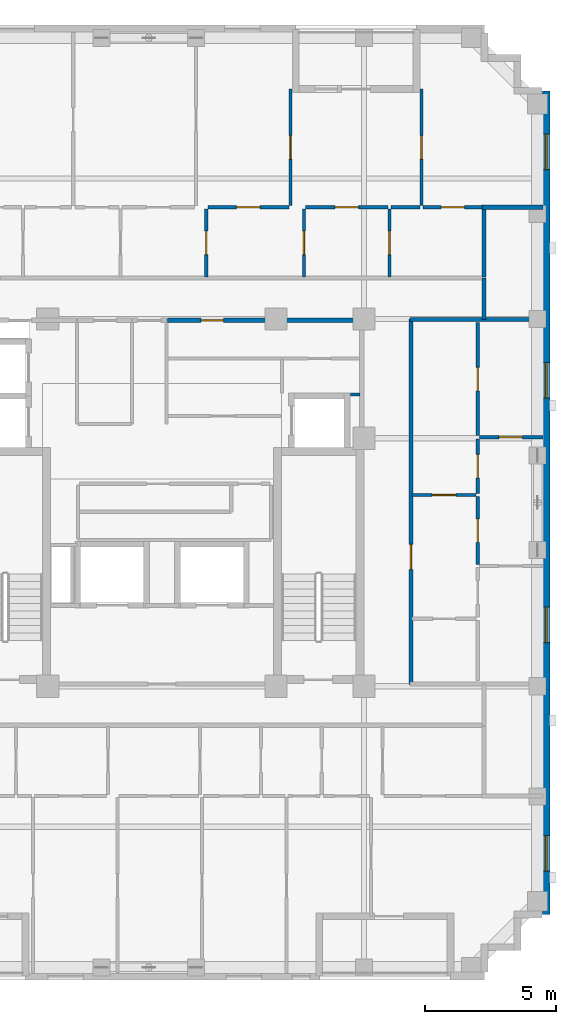
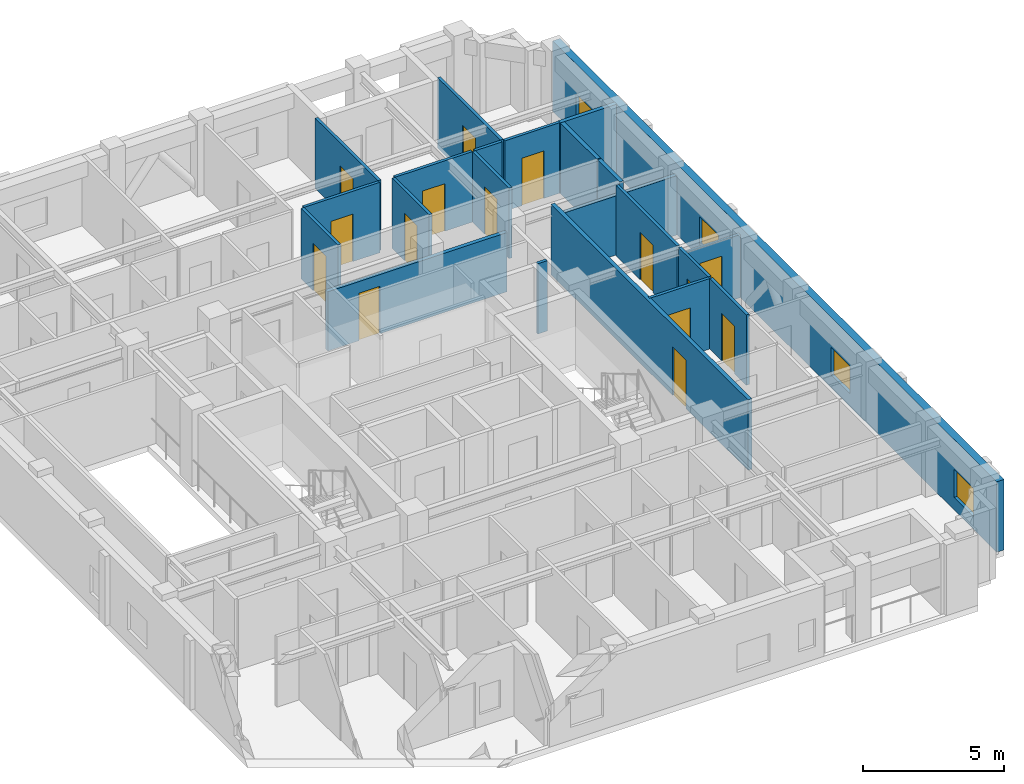
# One storey, part 8 of 13: 22 walls, 15 doors, 4 windows, 19 openings.
"""IFC4 building model written with IfcOpenShell, lengths in metres."""

from ifc_helpers import new_model, si_unit, derived_unit, direction, frame, frame_2d, origin, place, context, subcontext, project, spatial, rectangle, extrude, material, layer, layer_set, type_object, element, fill, save


model = new_model("IFC4")

# Units and contexts
model_context = context("Model", 3, precision=1e-05, world=origin(), true_north=direction((0.0, 1.0)))
body_context = subcontext(model_context, "Body", "Model", "MODEL_VIEW")
ifc_project = project(units=[si_unit("LENGTHUNIT", "METRE"), si_unit("AREAUNIT", "SQUARE_METRE"), si_unit("VOLUMEUNIT", "CUBIC_METRE"), si_unit("PLANEANGLEUNIT", "RADIAN"), si_unit("MASSUNIT", "GRAM", prefix="KILO"), derived_unit("THERMALTRANSMITTANCEUNIT", [(si_unit("MASSUNIT", "GRAM", prefix="KILO"), 1), (si_unit("TIMEUNIT", "SECOND"), -3), (si_unit("THERMODYNAMICTEMPERATUREUNIT", "KELVIN"), -1)])], contexts=[model_context])

# Site, building, storey
site_placement = place(None, origin())
site = spatial("IfcSite", under=ifc_project, at=site_placement, CompositionType="ELEMENT")
building_placement = place(site_placement, origin())
building = spatial("IfcBuilding", under=site, at=building_placement, Name="Korrvale Station Residences", CompositionType="ELEMENT")
storey_placement = place(building_placement, frame((0.0, 0.0, 181.0)))
storey = spatial("IfcBuildingStorey", under=building, at=storey_placement, Name="L52", CompositionType="ELEMENT", Elevation=181.0)

# Wall, openings, windows
ifc_material_1 = material(Name="Precast concrete C45/55", Category="concrete")
ifc_layer_1 = layer(ifc_material_1, 0.300048828125, Name="Precast concrete C45/55")
ifc_layer_set_1 = layer_set([ifc_layer_1], Name="Precast concrete C45/55")
wall_type_1 = type_object("IfcWallType", Name="WAL-EXT-PC300", PredefinedType="SOLIDWALL", material=ifc_layer_set_1)
wall_1_placement = place(storey_placement, frame((40.14990234375, 37.699951171875, 0.0), z_axis=(0.0, 0.0, 1.0), x_axis=(0.0, -1.0, 0.0)))
wall_1 = element("IfcWall", 1, at=wall_1_placement, inside=storey, type_object=wall_type_1, Name="L52 East Exterior Precast Wall 1", PredefinedType="SOLIDWALL", context=body_context, shape_type="SweptSolid", body=[
    extrude(rectangle(XDim=31.39990234375, YDim=0.300048828125, at=frame_2d((15.699951171875, 0.0))), origin(), (0.0, 0.0, 1.0), 3.0400390625),
])
opening_1_placement = place(wall_1_placement, frame((28.39599609375, 0.0, 0.550048828125)))
opening_1 = element("IfcOpeningElement", 2, at=opening_1_placement, cuts=wall_1, Name="Opening W-10", PredefinedType="OPENING", context=body_context, shape_type="SweptSolid", body=[
    extrude(rectangle(XDim=1.35009765625, YDim=1.199951171875, at=frame_2d((0.675048828125, 0.60009765625))), frame((0.0, 0.16015625, 0.0), z_axis=(0.0, -1.0, 0.0), x_axis=(1.0, 0.0, 0.0)), (0.0, 0.0, 1.0), 0.320068359375),
])
opening_2_placement = place(wall_1_placement, frame((1.653076171875, 0.0, 0.550048828125)))
opening_2 = element("IfcOpeningElement", 3, at=opening_2_placement, cuts=wall_1, Name="Opening W-10", PredefinedType="OPENING", context=body_context, shape_type="SweptSolid", body=[
    extrude(rectangle(XDim=1.35009765625, YDim=1.199951171875, at=frame_2d((0.675048828125, 0.60009765625))), frame((0.0, 0.16015625, 0.0), z_axis=(0.0, -1.0, 0.0), x_axis=(1.0, 0.0, 0.0)), (0.0, 0.0, 1.0), 0.320068359375),
])
opening_3_placement = place(wall_1_placement, frame((19.68310546875, 0.0, 0.550048828125)))
opening_3 = element("IfcOpeningElement", 4, at=opening_3_placement, cuts=wall_1, Name="Opening W-10", PredefinedType="OPENING", context=body_context, shape_type="SweptSolid", body=[
    extrude(rectangle(XDim=1.35009765625, YDim=1.199951171875, at=frame_2d((0.675048828125, 0.60009765625))), frame((0.0, 0.16015625, 0.0), z_axis=(0.0, -1.0, 0.0), x_axis=(1.0, 0.0, 0.0)), (0.0, 0.0, 1.0), 0.320068359375),
])
opening_4_placement = place(wall_1_placement, frame((10.366943359375, 0.0, 0.550048828125)))
opening_4 = element("IfcOpeningElement", 5, at=opening_4_placement, cuts=wall_1, Name="Opening W-10", PredefinedType="OPENING", context=body_context, shape_type="SweptSolid", body=[
    extrude(rectangle(XDim=1.35009765625, YDim=1.199951171875, at=frame_2d((0.675048828125, 0.60009765625))), frame((0.0, 0.16015625, 0.0), z_axis=(0.0, -1.0, 0.0), x_axis=(1.0, 0.0, 0.0)), (0.0, 0.0, 1.0), 0.320068359375),
])
ifc_material_2 = material(Name="Thermally broken aluminium frame with triple low-e glazing", Category="aluminium")
window_type = type_object("IfcWindowType", Name="WIN-W10", PartitioningType="SINGLE_PANEL", PredefinedType="WINDOW", material=ifc_material_2)
window_1_placement = place(opening_1_placement, origin())
window_1 = element("IfcWindow", 6, at=window_1_placement, inside=storey, type_object=window_type, Name="L52 Punched Window 07", OverallHeight=1.199951171875, OverallWidth=1.35009765625, PartitioningType="SINGLE_PANEL", PredefinedType="WINDOW", context=body_context, shape_type="SweptSolid", body=[
    extrude(rectangle(XDim=1.35009765625, YDim=1.199951171875, at=frame_2d((0.675048828125, 0.60009765625))), frame((0.0, 0.030029296875, 0.0), z_axis=(0.0, -1.0, 0.0), x_axis=(1.0, 0.0, 0.0)), (0.0, 0.0, 1.0), 0.06005859375),
])
fill(opening_1, window_1)
window_2_placement = place(opening_2_placement, origin())
window_2 = element("IfcWindow", 7, at=window_2_placement, inside=storey, type_object=window_type, Name="L52 Punched Window 12", OverallHeight=1.199951171875, OverallWidth=1.35009765625, PartitioningType="SINGLE_PANEL", PredefinedType="WINDOW", context=body_context, shape_type="SweptSolid", body=[
    extrude(rectangle(XDim=1.35009765625, YDim=1.199951171875, at=frame_2d((0.675048828125, 0.60009765625))), frame((0.0, 0.030029296875, 0.0), z_axis=(0.0, -1.0, 0.0), x_axis=(1.0, 0.0, 0.0)), (0.0, 0.0, 1.0), 0.06005859375),
])
fill(opening_2, window_2)
window_3_placement = place(opening_3_placement, origin())
window_3 = element("IfcWindow", 8, at=window_3_placement, inside=storey, type_object=window_type, Name="L52 Punched Window 13", OverallHeight=1.199951171875, OverallWidth=1.35009765625, PartitioningType="SINGLE_PANEL", PredefinedType="WINDOW", context=body_context, shape_type="SweptSolid", body=[
    extrude(rectangle(XDim=1.35009765625, YDim=1.199951171875, at=frame_2d((0.675048828125, 0.60009765625))), frame((0.0, 0.030029296875, 0.0), z_axis=(0.0, -1.0, 0.0), x_axis=(1.0, 0.0, 0.0)), (0.0, 0.0, 1.0), 0.06005859375),
])
fill(opening_3, window_3)
window_4_placement = place(opening_4_placement, origin())
window_4 = element("IfcWindow", 9, at=window_4_placement, inside=storey, type_object=window_type, Name="L52 Punched Window 14", OverallHeight=1.199951171875, OverallWidth=1.35009765625, PartitioningType="SINGLE_PANEL", PredefinedType="WINDOW", context=body_context, shape_type="SweptSolid", body=[
    extrude(rectangle(XDim=1.35009765625, YDim=1.199951171875, at=frame_2d((0.675048828125, 0.60009765625))), frame((0.0, 0.030029296875, 0.0), z_axis=(0.0, -1.0, 0.0), x_axis=(1.0, 0.0, 0.0)), (0.0, 0.0, 1.0), 0.06005859375),
])
fill(opening_4, window_4)

# Wall
ifc_material_3 = material(Name="Acoustic steel-stud gypsum board partition", Category="steel")
ifc_layer_2 = layer(ifc_material_3, 0.1201171875, Name="Acoustic steel-stud gypsum board partition")
ifc_layer_set_2 = layer_set([ifc_layer_2], Name="Acoustic steel-stud gypsum board partition")
wall_type_2 = type_object("IfcWallType", Name="WAL-PART-125", PredefinedType="PARTITIONING", material=ifc_layer_set_2)
wall_2_placement = place(storey_placement, frame((32.679931640625, 26.1201171875, 0.0), z_axis=(0.0, 0.0, 1.0), x_axis=(1.0, 0.0, 0.0)))
element("IfcWall", 10, at=wall_2_placement, inside=storey, type_object=wall_type_2, Name="L52 Core Partition CW-CS-S", PredefinedType="PARTITIONING", context=body_context, shape_type="SweptSolid", body=[
    extrude(rectangle(XDim=0.380126953125, YDim=0.1201171875, at=frame_2d((0.18994140625, 0.0))), origin(), (0.0, 0.0, 1.0), 3.0400390625),
])

# Wall, opening, door
wall_3_placement = place(storey_placement, frame((27.18994140625, 30.60009765625, 0.0), z_axis=(0.0, 0.0, 1.0), x_axis=(0.0, 1.0, 0.0)))
wall_3 = element("IfcWall", 11, at=wall_3_placement, inside=storey, type_object=wall_type_2, Name="L52 Suite Partition U02-V34", PredefinedType="PARTITIONING", context=body_context, shape_type="SweptSolid", body=[
    extrude(rectangle(XDim=2.599853515625, YDim=0.1201171875, at=frame_2d((1.2998046875, 0.0))), origin(), (0.0, 0.0, 1.0), 3.0400390625),
])
opening_5_placement = place(wall_3_placement, frame((0.85009765625, 0.0, 0.0)))
opening_5 = element("IfcOpeningElement", 12, at=opening_5_placement, cuts=wall_3, Name="Opening DI-900", PredefinedType="OPENING", context=body_context, shape_type="SweptSolid", body=[
    extrude(rectangle(XDim=0.89990234375, YDim=2.050048828125, at=frame_2d((0.449951171875, 1.02490234375))), frame((0.0, 0.070068359375, 0.0), z_axis=(0.0, -1.0, 0.0), x_axis=(1.0, 0.0, 0.0)), (0.0, 0.0, 1.0), 0.14013671875),
])
ifc_material_4 = material(Name="Painted solid-core timber interior room door", Category="wood")
door_type_1 = type_object("IfcDoorType", Name="DR-INT-900", OperationType="NOTDEFINED", PredefinedType="DOOR", material=ifc_material_4)
door_1_placement = place(opening_5_placement, origin())
door_1 = element("IfcDoor", 13, at=door_1_placement, inside=storey, type_object=door_type_1, Name="L52 Apartment 3BR L52-U02 Storage Closet 2 Door", OperationType="SINGLE_SWING_RIGHT", OverallHeight=2.050048828125, OverallWidth=0.89990234375, PredefinedType="DOOR", context=body_context, shape_type="SweptSolid", body=[
    extrude(rectangle(XDim=0.89990234375, YDim=2.050048828125, at=frame_2d((0.449951171875, 1.02490234375))), frame((0.0, 0.02490234375, 0.0), z_axis=(0.0, -1.0, 0.0), x_axis=(1.0, 0.0, 0.0)), (0.0, 0.0, 1.0), 0.050048828125),
])
fill(opening_5, door_1)

wall_4_placement = place(storey_placement, frame((30.909912109375, 30.60009765625, 0.0), z_axis=(0.0, 0.0, 1.0), x_axis=(0.0, 1.0, 0.0)))
wall_4 = element("IfcWall", 14, at=wall_4_placement, inside=storey, type_object=wall_type_2, Name="L52 Suite Partition U02-V45", PredefinedType="PARTITIONING", context=body_context, shape_type="SweptSolid", body=[
    extrude(rectangle(XDim=2.599853515625, YDim=0.1201171875, at=frame_2d((1.2998046875, 0.0))), origin(), (0.0, 0.0, 1.0), 3.0400390625),
])
opening_6_placement = place(wall_4_placement, frame((0.85009765625, 0.0, 0.0)))
opening_6 = element("IfcOpeningElement", 15, at=opening_6_placement, cuts=wall_4, Name="Opening DI-900", PredefinedType="OPENING", context=body_context, shape_type="SweptSolid", body=[
    extrude(rectangle(XDim=0.89990234375, YDim=2.050048828125, at=frame_2d((0.449951171875, 1.02490234375))), frame((0.0, 0.070068359375, 0.0), z_axis=(0.0, -1.0, 0.0), x_axis=(1.0, 0.0, 0.0)), (0.0, 0.0, 1.0), 0.14013671875),
])
door_2_placement = place(opening_6_placement, origin())
door_2 = element("IfcDoor", 16, at=door_2_placement, inside=storey, type_object=door_type_1, Name="L52 Apartment 3BR L52-U02 Storage Closet 3 Door", OperationType="SINGLE_SWING_RIGHT", OverallHeight=2.050048828125, OverallWidth=0.89990234375, PredefinedType="DOOR", context=body_context, shape_type="SweptSolid", body=[
    extrude(rectangle(XDim=0.89990234375, YDim=2.050048828125, at=frame_2d((0.449951171875, 1.02490234375))), frame((0.0, 0.02490234375, 0.0), z_axis=(0.0, -1.0, 0.0), x_axis=(1.0, 0.0, 0.0)), (0.0, 0.0, 1.0), 0.050048828125),
])
fill(opening_6, door_2)

wall_5_placement = place(storey_placement, frame((27.25, 33.260009765625, 0.0), z_axis=(0.0, 0.0, 1.0), x_axis=(1.0, 0.0, 0.0)))
wall_5 = element("IfcWall", 17, at=wall_5_placement, inside=storey, type_object=wall_type_2, Name="L52 Suite Partition U02-H410", PredefinedType="PARTITIONING", context=body_context, shape_type="SweptSolid", body=[
    extrude(rectangle(XDim=3.090087890625, YDim=0.1201171875, at=frame_2d((1.544921875, 0.0))), origin(), (0.0, 0.0, 1.0), 3.0400390625),
])
opening_7_placement = place(wall_5_placement, frame((1.094970703125, 0.0, 0.0)))
opening_7 = element("IfcOpeningElement", 18, at=opening_7_placement, cuts=wall_5, Name="Opening DI-900", PredefinedType="OPENING", context=body_context, shape_type="SweptSolid", body=[
    extrude(rectangle(XDim=0.89990234375, YDim=2.050048828125, at=frame_2d((0.449951171875, 1.02490234375))), frame((0.0, 0.070068359375, 0.0), z_axis=(0.0, -1.0, 0.0), x_axis=(1.0, 0.0, 0.0)), (0.0, 0.0, 1.0), 0.14013671875),
])
door_3_placement = place(opening_7_placement, origin())
door_3 = element("IfcDoor", 19, at=door_3_placement, inside=storey, type_object=door_type_1, Name="L52 Apartment 3BR L52-U02 Storage Closet 3 Door", OperationType="SINGLE_SWING_LEFT", OverallHeight=2.050048828125, OverallWidth=0.89990234375, PredefinedType="DOOR", context=body_context, shape_type="SweptSolid", body=[
    extrude(rectangle(XDim=0.89990234375, YDim=2.050048828125, at=frame_2d((0.449951171875, 1.02490234375))), frame((0.0, 0.02490234375, 0.0), z_axis=(0.0, -1.0, 0.0), x_axis=(1.0, 0.0, 0.0)), (0.0, 0.0, 1.0), 0.050048828125),
])
fill(opening_7, door_3)

wall_6_placement = place(storey_placement, frame((34.179931640625, 30.60009765625, 0.0), z_axis=(0.0, 0.0, 1.0), x_axis=(0.0, 1.0, 0.0)))
wall_6 = element("IfcWall", 20, at=wall_6_placement, inside=storey, type_object=wall_type_2, Name="L52 Suite Partition U02-V56", PredefinedType="PARTITIONING", context=body_context, shape_type="SweptSolid", body=[
    extrude(rectangle(XDim=2.599853515625, YDim=0.1201171875, at=frame_2d((1.2998046875, 0.0))), origin(), (0.0, 0.0, 1.0), 3.0400390625),
])
opening_8_placement = place(wall_6_placement, frame((0.85009765625, 0.0, 0.0)))
opening_8 = element("IfcOpeningElement", 21, at=opening_8_placement, cuts=wall_6, Name="Opening DI-900", PredefinedType="OPENING", context=body_context, shape_type="SweptSolid", body=[
    extrude(rectangle(XDim=0.89990234375, YDim=2.050048828125, at=frame_2d((0.449951171875, 1.02490234375))), frame((0.0, 0.070068359375, 0.0), z_axis=(0.0, -1.0, 0.0), x_axis=(1.0, 0.0, 0.0)), (0.0, 0.0, 1.0), 0.14013671875),
])
door_4_placement = place(opening_8_placement, origin())
door_4 = element("IfcDoor", 22, at=door_4_placement, inside=storey, type_object=door_type_1, Name="L52 Apartment 3BR L52-U02 Storage Closet 4 Door", OperationType="SINGLE_SWING_RIGHT", OverallHeight=2.050048828125, OverallWidth=0.89990234375, PredefinedType="DOOR", context=body_context, shape_type="SweptSolid", body=[
    extrude(rectangle(XDim=0.89990234375, YDim=2.050048828125, at=frame_2d((0.449951171875, 1.02490234375))), frame((0.0, 0.02490234375, 0.0), z_axis=(0.0, -1.0, 0.0), x_axis=(1.0, 0.0, 0.0)), (0.0, 0.0, 1.0), 0.050048828125),
])
fill(opening_8, door_4)

wall_7_placement = place(storey_placement, frame((30.969970703125, 33.260009765625, 0.0), z_axis=(0.0, 0.0, 1.0), x_axis=(1.0, 0.0, 0.0)))
wall_7 = element("IfcWall", 23, at=wall_7_placement, inside=storey, type_object=wall_type_2, Name="L52 Suite Partition U02-H511", PredefinedType="PARTITIONING", context=body_context, shape_type="SweptSolid", body=[
    extrude(rectangle(XDim=3.150146484375, YDim=0.1201171875, at=frame_2d((1.5751953125, 0.0))), origin(), (0.0, 0.0, 1.0), 3.0400390625),
])
opening_9_placement = place(wall_7_placement, frame((1.125, 0.0, 0.0)))
opening_9 = element("IfcOpeningElement", 24, at=opening_9_placement, cuts=wall_7, Name="Opening DI-900", PredefinedType="OPENING", context=body_context, shape_type="SweptSolid", body=[
    extrude(rectangle(XDim=0.89990234375, YDim=2.050048828125, at=frame_2d((0.449951171875, 1.02490234375))), frame((0.0, 0.070068359375, 0.0), z_axis=(0.0, -1.0, 0.0), x_axis=(1.0, 0.0, 0.0)), (0.0, 0.0, 1.0), 0.14013671875),
])
door_5_placement = place(opening_9_placement, origin())
door_5 = element("IfcDoor", 25, at=door_5_placement, inside=storey, type_object=door_type_1, Name="L52 Apartment 3BR L52-U02 Storage Closet 4 Door", OperationType="SINGLE_SWING_LEFT", OverallHeight=2.050048828125, OverallWidth=0.89990234375, PredefinedType="DOOR", context=body_context, shape_type="SweptSolid", body=[
    extrude(rectangle(XDim=0.89990234375, YDim=2.050048828125, at=frame_2d((0.449951171875, 1.02490234375))), frame((0.0, 0.02490234375, 0.0), z_axis=(0.0, -1.0, 0.0), x_axis=(1.0, 0.0, 0.0)), (0.0, 0.0, 1.0), 0.050048828125),
])
fill(opening_9, door_5)

# Wall
wall_8_placement = place(storey_placement, frame((34.239990234375, 33.260009765625, 0.0), z_axis=(0.0, 0.0, 1.0), x_axis=(1.0, 0.0, 0.0)))
element("IfcWall", 26, at=wall_8_placement, inside=storey, type_object=wall_type_2, Name="L52 Suite Partition U02-H611", PredefinedType="PARTITIONING", context=body_context, shape_type="SweptSolid", body=[
    extrude(rectangle(XDim=1.10009765625, YDim=0.1201171875, at=frame_2d((0.550048828125, 0.0))), origin(), (0.0, 0.0, 1.0), 3.0400390625),
])

# Wall, opening, door
wall_9_placement = place(storey_placement, frame((35.4599609375, 33.260009765625, 0.0), z_axis=(0.0, 0.0, 1.0), x_axis=(1.0, 0.0, 0.0)))
wall_9 = element("IfcWall", 27, at=wall_9_placement, inside=storey, type_object=wall_type_2, Name="L52 Suite Partition U02-H612", PredefinedType="PARTITIONING", context=body_context, shape_type="SweptSolid", body=[
    extrude(rectangle(XDim=2.260009765625, YDim=0.1201171875, at=frame_2d((1.1298828125, 0.0))), origin(), (0.0, 0.0, 1.0), 3.0400390625),
])
opening_10_placement = place(wall_9_placement, frame((0.679931640625, 0.0, 0.0)))
opening_10 = element("IfcOpeningElement", 28, at=opening_10_placement, cuts=wall_9, Name="Opening DI-900", PredefinedType="OPENING", context=body_context, shape_type="SweptSolid", body=[
    extrude(rectangle(XDim=0.89990234375, YDim=2.050048828125, at=frame_2d((0.449951171875, 1.02490234375))), frame((0.0, 0.070068359375, 0.0), z_axis=(0.0, -1.0, 0.0), x_axis=(1.0, 0.0, 0.0)), (0.0, 0.0, 1.0), 0.14013671875),
])
door_6_placement = place(opening_10_placement, origin())
door_6 = element("IfcDoor", 29, at=door_6_placement, inside=storey, type_object=door_type_1, Name="L52 Apartment 3BR L52-U02 Storage Closet 5 Door", OperationType="SINGLE_SWING_RIGHT", OverallHeight=2.050048828125, OverallWidth=0.89990234375, PredefinedType="DOOR", context=body_context, shape_type="SweptSolid", body=[
    extrude(rectangle(XDim=0.89990234375, YDim=2.050048828125, at=frame_2d((0.449951171875, 1.02490234375))), frame((0.0, 0.02490234375, 0.0), z_axis=(0.0, -1.0, 0.0), x_axis=(1.0, 0.0, 0.0)), (0.0, 0.0, 1.0), 0.050048828125),
])
fill(opening_10, door_6)

wall_10_placement = place(storey_placement, frame((30.39990234375, 33.320068359375, 0.0), z_axis=(0.0, 0.0, 1.0), x_axis=(0.0, 1.0, 0.0)))
wall_10 = element("IfcWall", 30, at=wall_10_placement, inside=storey, type_object=wall_type_2, Name="L52 Suite Partition U02-V1011", PredefinedType="PARTITIONING", context=body_context, shape_type="SweptSolid", body=[
    extrude(rectangle(XDim=4.449951171875, YDim=0.1201171875, at=frame_2d((2.22509765625, 0.0))), origin(), (0.0, 0.0, 1.0), 3.0400390625),
])
opening_11_placement = place(wall_10_placement, frame((1.77490234375, 0.0, 0.0)))
opening_11 = element("IfcOpeningElement", 31, at=opening_11_placement, cuts=wall_10, Name="Opening DI-900", PredefinedType="OPENING", context=body_context, shape_type="SweptSolid", body=[
    extrude(rectangle(XDim=0.89990234375, YDim=2.050048828125, at=frame_2d((0.449951171875, 1.02490234375))), frame((0.0, 0.070068359375, 0.0), z_axis=(0.0, -1.0, 0.0), x_axis=(1.0, 0.0, 0.0)), (0.0, 0.0, 1.0), 0.14013671875),
])
door_7_placement = place(opening_11_placement, origin())
door_7 = element("IfcDoor", 32, at=door_7_placement, inside=storey, type_object=door_type_1, Name="L52 Apartment 3BR L52-U02 Bedroom 1 Door", OperationType="SINGLE_SWING_RIGHT", OverallHeight=2.050048828125, OverallWidth=0.89990234375, PredefinedType="DOOR", context=body_context, shape_type="SweptSolid", body=[
    extrude(rectangle(XDim=0.89990234375, YDim=2.050048828125, at=frame_2d((0.449951171875, 1.02490234375))), frame((0.0, 0.02490234375, 0.0), z_axis=(0.0, -1.0, 0.0), x_axis=(1.0, 0.0, 0.0)), (0.0, 0.0, 1.0), 0.050048828125),
])
fill(opening_11, door_7)

wall_11_placement = place(storey_placement, frame((35.39990234375, 33.320068359375, 0.0), z_axis=(0.0, 0.0, 1.0), x_axis=(0.0, 1.0, 0.0)))
wall_11 = element("IfcWall", 33, at=wall_11_placement, inside=storey, type_object=wall_type_2, Name="L52 Suite Partition U02-V1112", PredefinedType="PARTITIONING", context=body_context, shape_type="SweptSolid", body=[
    extrude(rectangle(XDim=4.449951171875, YDim=0.1201171875, at=frame_2d((2.22509765625, 0.0))), origin(), (0.0, 0.0, 1.0), 3.0400390625),
])
opening_12_placement = place(wall_11_placement, frame((1.77490234375, 0.0, 0.0)))
opening_12 = element("IfcOpeningElement", 34, at=opening_12_placement, cuts=wall_11, Name="Opening DI-900", PredefinedType="OPENING", context=body_context, shape_type="SweptSolid", body=[
    extrude(rectangle(XDim=0.89990234375, YDim=2.050048828125, at=frame_2d((0.449951171875, 1.02490234375))), frame((0.0, 0.070068359375, 0.0), z_axis=(0.0, -1.0, 0.0), x_axis=(1.0, 0.0, 0.0)), (0.0, 0.0, 1.0), 0.14013671875),
])
door_8_placement = place(opening_12_placement, origin())
door_8 = element("IfcDoor", 35, at=door_8_placement, inside=storey, type_object=door_type_1, Name="L52 Apartment 3BR L52-U02 Bedroom 2 Door", OperationType="SINGLE_SWING_LEFT", OverallHeight=2.050048828125, OverallWidth=0.89990234375, PredefinedType="DOOR", context=body_context, shape_type="SweptSolid", body=[
    extrude(rectangle(XDim=0.89990234375, YDim=2.050048828125, at=frame_2d((0.449951171875, 1.02490234375))), frame((0.0, 0.02490234375, 0.0), z_axis=(0.0, -1.0, 0.0), x_axis=(1.0, 0.0, 0.0)), (0.0, 0.0, 1.0), 0.050048828125),
])
fill(opening_12, door_8)

wall_12_placement = place(storey_placement, frame((35.030029296875, 22.2900390625, 0.0), z_axis=(0.0, 0.0, 1.0), x_axis=(1.0, 0.0, 0.0)))
wall_12 = element("IfcWall", 36, at=wall_12_placement, inside=storey, type_object=wall_type_2, Name="L52 Suite Partition U03-H02", PredefinedType="PARTITIONING", context=body_context, shape_type="SweptSolid", body=[
    extrude(rectangle(XDim=2.449951171875, YDim=0.1201171875, at=frame_2d((1.22509765625, 0.0))), origin(), (0.0, 0.0, 1.0), 3.0400390625),
])
opening_13_placement = place(wall_12_placement, frame((0.77490234375, 0.0, 0.0)))
opening_13 = element("IfcOpeningElement", 37, at=opening_13_placement, cuts=wall_12, Name="Opening DI-900", PredefinedType="OPENING", context=body_context, shape_type="SweptSolid", body=[
    extrude(rectangle(XDim=0.89990234375, YDim=2.050048828125, at=frame_2d((0.449951171875, 1.02490234375))), frame((0.0, 0.070068359375, 0.0), z_axis=(0.0, -1.0, 0.0), x_axis=(1.0, 0.0, 0.0)), (0.0, 0.0, 1.0), 0.14013671875),
])
door_9_placement = place(opening_13_placement, origin())
door_9 = element("IfcDoor", 38, at=door_9_placement, inside=storey, type_object=door_type_1, Name="L52 Apartment 2BR L52-U03 Wardrobe Storage Room Door", OperationType="SINGLE_SWING_RIGHT", OverallHeight=2.050048828125, OverallWidth=0.89990234375, PredefinedType="DOOR", context=body_context, shape_type="SweptSolid", body=[
    extrude(rectangle(XDim=0.89990234375, YDim=2.050048828125, at=frame_2d((0.449951171875, 1.02490234375))), frame((0.0, 0.02490234375, 0.0), z_axis=(0.0, -1.0, 0.0), x_axis=(1.0, 0.0, 0.0)), (0.0, 0.0, 1.0), 0.050048828125),
])
fill(opening_13, door_9)

wall_13_placement = place(storey_placement, frame((37.5400390625, 22.35009765625, 0.0), z_axis=(0.0, 0.0, 1.0), x_axis=(0.0, 1.0, 0.0)))
wall_13 = element("IfcWall", 39, at=wall_13_placement, inside=storey, type_object=wall_type_2, Name="L52 Suite Partition U03-V04", PredefinedType="PARTITIONING", context=body_context, shape_type="SweptSolid", body=[
    extrude(rectangle(XDim=2.081787109375, YDim=0.1201171875, at=frame_2d((1.041015625, 0.0))), origin(), (0.0, 0.0, 1.0), 3.0400390625),
])
opening_14_placement = place(wall_13_placement, frame((0.591064453125, 0.0, 0.0)))
opening_14 = element("IfcOpeningElement", 40, at=opening_14_placement, cuts=wall_13, Name="Opening DI-900", PredefinedType="OPENING", context=body_context, shape_type="SweptSolid", body=[
    extrude(rectangle(XDim=0.89990234375, YDim=2.050048828125, at=frame_2d((0.449951171875, 1.02490234375))), frame((0.0, 0.070068359375, 0.0), z_axis=(0.0, -1.0, 0.0), x_axis=(1.0, 0.0, 0.0)), (0.0, 0.0, 1.0), 0.14013671875),
])
door_10_placement = place(opening_14_placement, origin())
door_10 = element("IfcDoor", 41, at=door_10_placement, inside=storey, type_object=door_type_1, Name="L52 Apartment 2BR L52-U03 Wardrobe Storage Room Door", OperationType="SINGLE_SWING_LEFT", OverallHeight=2.050048828125, OverallWidth=0.89990234375, PredefinedType="DOOR", context=body_context, shape_type="SweptSolid", body=[
    extrude(rectangle(XDim=0.89990234375, YDim=2.050048828125, at=frame_2d((0.449951171875, 1.02490234375))), frame((0.0, 0.02490234375, 0.0), z_axis=(0.0, -1.0, 0.0), x_axis=(1.0, 0.0, 0.0)), (0.0, 0.0, 1.0), 0.050048828125),
])
fill(opening_14, door_10)

wall_14_placement = place(storey_placement, frame((37.5400390625, 24.552001953125, 0.0), z_axis=(0.0, 0.0, 1.0), x_axis=(0.0, 1.0, 0.0)))
wall_14 = element("IfcWall", 42, at=wall_14_placement, inside=storey, type_object=wall_type_2, Name="L52 Suite Partition U03-V05", PredefinedType="PARTITIONING", context=body_context, shape_type="SweptSolid", body=[
    extrude(rectangle(XDim=4.30810546875, YDim=0.1201171875, at=frame_2d((2.154052734375, 0.0))), origin(), (0.0, 0.0, 1.0), 3.0400390625),
])
opening_15_placement = place(wall_14_placement, frame((1.7041015625, 0.0, 0.0)))
opening_15 = element("IfcOpeningElement", 43, at=opening_15_placement, cuts=wall_14, Name="Opening DI-900", PredefinedType="OPENING", context=body_context, shape_type="SweptSolid", body=[
    extrude(rectangle(XDim=0.89990234375, YDim=2.050048828125, at=frame_2d((0.449951171875, 1.02490234375))), frame((0.0, 0.070068359375, 0.0), z_axis=(0.0, -1.0, 0.0), x_axis=(1.0, 0.0, 0.0)), (0.0, 0.0, 1.0), 0.14013671875),
])
door_11_placement = place(opening_15_placement, origin())
door_11 = element("IfcDoor", 44, at=door_11_placement, inside=storey, type_object=door_type_1, Name="L52 Apartment 2BR L52-U03 Wardrobe Storage Room Door", OperationType="SINGLE_SWING_RIGHT", OverallHeight=2.050048828125, OverallWidth=0.89990234375, PredefinedType="DOOR", context=body_context, shape_type="SweptSolid", body=[
    extrude(rectangle(XDim=0.89990234375, YDim=2.050048828125, at=frame_2d((0.449951171875, 1.02490234375))), frame((0.0, 0.02490234375, 0.0), z_axis=(0.0, -1.0, 0.0), x_axis=(1.0, 0.0, 0.0)), (0.0, 0.0, 1.0), 0.050048828125),
])
fill(opening_15, door_11)

wall_15_placement = place(storey_placement, frame((37.5400390625, 19.637939453125, 0.0), z_axis=(0.0, 0.0, 1.0), x_axis=(0.0, 1.0, 0.0)))
wall_15 = element("IfcWall", 45, at=wall_15_placement, inside=storey, type_object=wall_type_2, Name="L52 Suite Partition U03-V24", PredefinedType="PARTITIONING", context=body_context, shape_type="SweptSolid", body=[
    extrude(rectangle(XDim=2.592041015625, YDim=0.1201171875, at=frame_2d((1.2958984375, 0.0))), origin(), (0.0, 0.0, 1.0), 3.0400390625),
])
opening_16_placement = place(wall_15_placement, frame((0.845947265625, 0.0, 0.0)))
opening_16 = element("IfcOpeningElement", 46, at=opening_16_placement, cuts=wall_15, Name="Opening DI-900", PredefinedType="OPENING", context=body_context, shape_type="SweptSolid", body=[
    extrude(rectangle(XDim=0.89990234375, YDim=2.050048828125, at=frame_2d((0.449951171875, 1.02490234375))), frame((0.0, 0.070068359375, 0.0), z_axis=(0.0, -1.0, 0.0), x_axis=(1.0, 0.0, 0.0)), (0.0, 0.0, 1.0), 0.14013671875),
])
door_12_placement = place(opening_16_placement, origin())
door_12 = element("IfcDoor", 47, at=door_12_placement, inside=storey, type_object=door_type_1, Name="L52 Apartment 2BR L52-U03 Kitchen Door", OperationType="SINGLE_SWING_LEFT", OverallHeight=2.050048828125, OverallWidth=0.89990234375, PredefinedType="DOOR", context=body_context, shape_type="SweptSolid", body=[
    extrude(rectangle(XDim=0.89990234375, YDim=2.050048828125, at=frame_2d((0.449951171875, 1.02490234375))), frame((0.0, 0.02490234375, 0.0), z_axis=(0.0, -1.0, 0.0), x_axis=(1.0, 0.0, 0.0)), (0.0, 0.0, 1.0), 0.050048828125),
])
fill(opening_16, door_12)

wall_16_placement = place(storey_placement, frame((37.60009765625, 24.491943359375, 0.0), z_axis=(0.0, 0.0, 1.0), x_axis=(1.0, 0.0, 0.0)))
wall_16 = element("IfcWall", 48, at=wall_16_placement, inside=storey, type_object=wall_type_2, Name="L52 Suite Partition U03-H45", PredefinedType="PARTITIONING", context=body_context, shape_type="SweptSolid", body=[
    extrude(rectangle(XDim=2.419921875, YDim=0.1201171875, at=frame_2d((1.2099609375, 0.0))), origin(), (0.0, 0.0, 1.0), 2.721923828125),
])
opening_17_placement = place(wall_16_placement, frame((0.7451171875, 0.0, 0.0)))
opening_17 = element("IfcOpeningElement", 49, at=opening_17_placement, cuts=wall_16, Name="Opening DI-900", PredefinedType="OPENING", context=body_context, shape_type="SweptSolid", body=[
    extrude(rectangle(XDim=0.89990234375, YDim=2.050048828125, at=frame_2d((0.449951171875, 1.02490234375))), frame((0.0, 0.070068359375, 0.0), z_axis=(0.0, -1.0, 0.0), x_axis=(1.0, 0.0, 0.0)), (0.0, 0.0, 1.0), 0.14013671875),
])
door_13_placement = place(opening_17_placement, origin())
door_13 = element("IfcDoor", 50, at=door_13_placement, inside=storey, type_object=door_type_1, Name="L52 Apartment 2BR L52-U03 Living and Dining Room Door", OperationType="SINGLE_SWING_LEFT", OverallHeight=2.050048828125, OverallWidth=0.89990234375, PredefinedType="DOOR", context=body_context, shape_type="SweptSolid", body=[
    extrude(rectangle(XDim=0.89990234375, YDim=2.050048828125, at=frame_2d((0.449951171875, 1.02490234375))), frame((0.0, 0.02490234375, 0.0), z_axis=(0.0, -1.0, 0.0), x_axis=(1.0, 0.0, 0.0)), (0.0, 0.0, 1.0), 0.050048828125),
])
fill(opening_17, door_13)

ifc_material_5 = material(Name="Fire-rated twin-stud gypsum and mineral wool shaftwall assembly", Category="gypsum")
ifc_layer_3 = layer(ifc_material_5, 0.159912109375, Name="Fire-rated twin-stud gypsum and mineral wool shaftwall assembly")
ifc_layer_set_3 = layer_set([ifc_layer_3], Name="Fire-rated twin-stud gypsum and mineral wool shaftwall assembly")
wall_type_3 = type_object("IfcWallType", Name="WAL-PART-200", PredefinedType="PARTITIONING", material=ifc_layer_set_3)
wall_17_placement = place(storey_placement, frame((25.719970703125, 28.949951171875, 0.0), z_axis=(0.0, 0.0, 1.0), x_axis=(1.0, 0.0, 0.0)))
wall_17 = element("IfcWall", 51, at=wall_17_placement, inside=storey, type_object=wall_type_3, Name="L52 Core Partition CW-FPLE-N", PredefinedType="PARTITIONING", context=body_context, shape_type="SweptSolid", body=[
    extrude(rectangle(XDim=7.320068359375, YDim=0.159912109375, at=frame_2d((3.66015625, 0.0))), origin(), (0.0, 0.0, 1.0), 2.555908203125),
])
opening_18_placement = place(wall_17_placement, frame((1.27001953125, 0.0, 0.0)))
opening_18 = element("IfcOpeningElement", 52, at=opening_18_placement, cuts=wall_17, Name="Opening DB-860", PredefinedType="OPENING", context=body_context, shape_type="SweptSolid", body=[
    extrude(rectangle(XDim=0.860107421875, YDim=2.050048828125, at=frame_2d((0.43017578125, 1.02490234375))), frame((0.0, 0.08984375, 0.0), z_axis=(0.0, -1.0, 0.0), x_axis=(1.0, 0.0, 0.0)), (0.0, 0.0, 1.0), 0.179931640625),
])
ifc_material_6 = material(Name="Moisture-resistant solid-core bathroom door", Category="timber")
door_type_2 = type_object("IfcDoorType", Name="DR-BATH-860", OperationType="NOTDEFINED", PredefinedType="DOOR", material=ifc_material_6)
door_14_placement = place(opening_18_placement, origin())
door_14 = element("IfcDoor", 53, at=door_14_placement, inside=storey, type_object=door_type_2, Name="L52 Luggage Pantry Door", OperationType="SINGLE_SWING_RIGHT", OverallHeight=2.050048828125, OverallWidth=0.860107421875, PredefinedType="DOOR", context=body_context, shape_type="SweptSolid", body=[
    extrude(rectangle(XDim=0.860107421875, YDim=2.050048828125, at=frame_2d((0.43017578125, 1.02490234375))), frame((0.0, 0.02490234375, 0.0), z_axis=(0.0, -1.0, 0.0), x_axis=(1.0, 0.0, 0.0)), (0.0, 0.0, 1.0), 0.050048828125),
])
fill(opening_18, door_14)

# Walls
wall_18_placement = place(storey_placement, frame((37.780029296875, 28.97998046875, 0.0), z_axis=(0.0, 0.0, 1.0), x_axis=(0.0, 1.0, 0.0)))
element("IfcWall", 54, at=wall_18_placement, inside=storey, type_object=wall_type_3, Name="L52 Corridor North East Cap", PredefinedType="PARTITIONING", context=body_context, shape_type="SweptSolid", body=[
    extrude(rectangle(XDim=1.580078125, YDim=0.159912109375, at=frame_2d((0.7900390625, 0.0))), origin(), (0.0, 0.0, 1.0), 3.0400390625),
])
wall_19_placement = place(storey_placement, frame((34.949951171875, 28.97998046875, 0.0), z_axis=(0.0, 0.0, 1.0), x_axis=(1.0, 0.0, 0.0)))
element("IfcWall", 55, at=wall_19_placement, inside=storey, type_object=wall_type_3, Name="L52 East Wing North Corridor Wall", PredefinedType="PARTITIONING", context=body_context, shape_type="SweptSolid", body=[
    extrude(rectangle(XDim=5.070068359375, YDim=0.159912109375, at=frame_2d((2.53515625, 0.0))), origin(), (0.0, 0.0, 1.0), 2.555908203125),
])
wall_20_placement = place(storey_placement, frame((37.679931640625, 33.260009765625, 0.0), z_axis=(0.0, 0.0, 1.0), x_axis=(1.0, 0.0, 0.0)))
element("IfcWall", 56, at=wall_20_placement, inside=storey, type_object=wall_type_3, Name="L52 Corner Step Wall U02-R", PredefinedType="PARTITIONING", context=body_context, shape_type="SweptSolid", body=[
    extrude(rectangle(XDim=2.340087890625, YDim=0.159912109375, at=frame_2d((1.169921875, 0.0))), origin(), (0.0, 0.0, 1.0), 3.0400390625),
])
wall_21_placement = place(storey_placement, frame((37.780029296875, 30.60009765625, 0.0), z_axis=(0.0, 0.0, 1.0), x_axis=(0.0, 1.0, 0.0)))
element("IfcWall", 57, at=wall_21_placement, inside=storey, type_object=wall_type_3, Name="L52 Corner Step Cheek U02-R", PredefinedType="PARTITIONING", context=body_context, shape_type="SweptSolid", body=[
    extrude(rectangle(XDim=2.659912109375, YDim=0.159912109375, at=frame_2d((1.330078125, 0.0))), origin(), (0.0, 0.0, 1.0), 3.0400390625),
])

# Wall, opening, door
wall_22_placement = place(storey_placement, frame((34.989990234375, 15.070068359375, 0.0), z_axis=(0.0, 0.0, 1.0), x_axis=(0.0, 1.0, 0.0)))
wall_22 = element("IfcWall", 58, at=wall_22_placement, inside=storey, type_object=wall_type_3, Name="L52 Rated Corridor Wall E", PredefinedType="PARTITIONING", context=body_context, shape_type="SweptSolid", body=[
    extrude(rectangle(XDim=13.929931640625, YDim=0.159912109375, at=frame_2d((6.96484375, 0.0))), origin(), (0.0, 0.0, 1.0), 3.0400390625),
])
opening_19_placement = place(wall_22_placement, frame((4.385009765625, 0.0, 0.0)))
opening_19 = element("IfcOpeningElement", 59, at=opening_19_placement, cuts=wall_22, Name="Opening UD-950", PredefinedType="OPENING", context=body_context, shape_type="SweptSolid", body=[
    extrude(rectangle(XDim=0.949951171875, YDim=2.10009765625, at=frame_2d((0.47509765625, 1.050048828125))), frame((0.0, 0.08984375, 0.0), z_axis=(0.0, -1.0, 0.0), x_axis=(1.0, 0.0, 0.0)), (0.0, 0.0, 1.0), 0.179931640625),
])
ifc_material_7 = material(Name="Solid-core acoustic oak apartment entrance door", Category="timber")
door_type_3 = type_object("IfcDoorType", Name="DR-UNIT-950", OperationType="NOTDEFINED", PredefinedType="DOOR", material=ifc_material_7)
door_15_placement = place(opening_19_placement, origin())
door_15 = element("IfcDoor", 60, at=door_15_placement, inside=storey, type_object=door_type_3, Name="L52 Apartment L52-U03 Entrance Door", OperationType="SINGLE_SWING_RIGHT", OverallHeight=2.10009765625, OverallWidth=0.949951171875, PredefinedType="DOOR", context=body_context, shape_type="SweptSolid", body=[
    extrude(rectangle(XDim=0.949951171875, YDim=2.10009765625, at=frame_2d((0.47509765625, 1.050048828125))), frame((0.0, 0.02490234375, 0.0), z_axis=(0.0, -1.0, 0.0), x_axis=(1.0, 0.0, 0.0)), (0.0, 0.0, 1.0), 0.050048828125),
])
fill(opening_19, door_15)

save(model, "model.ifc")
